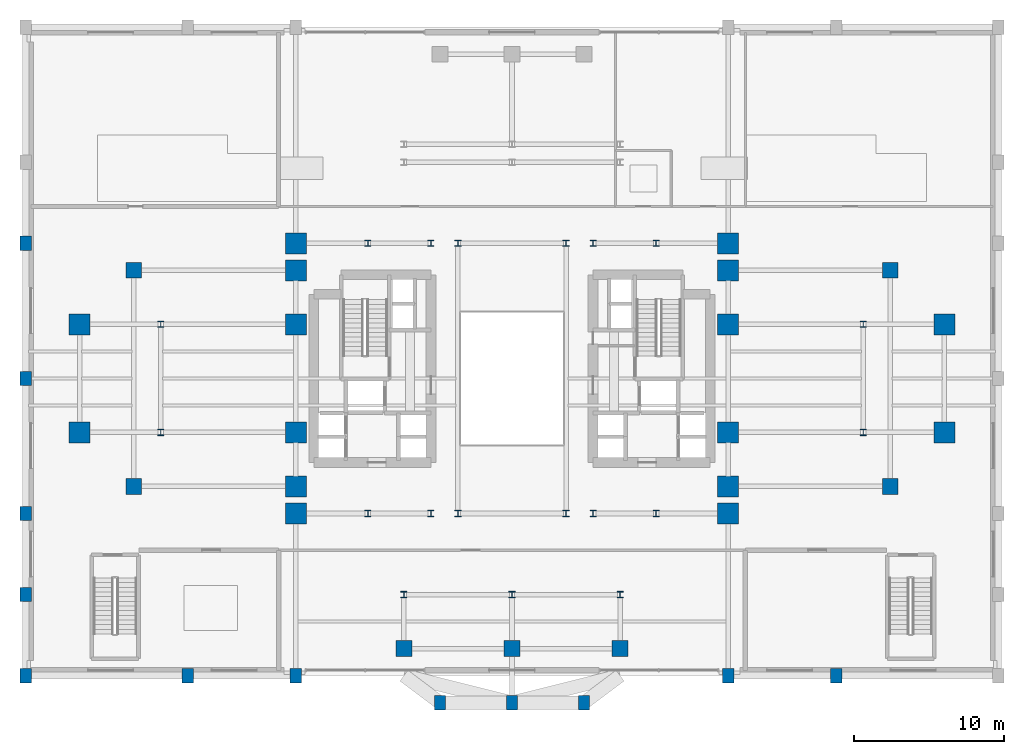
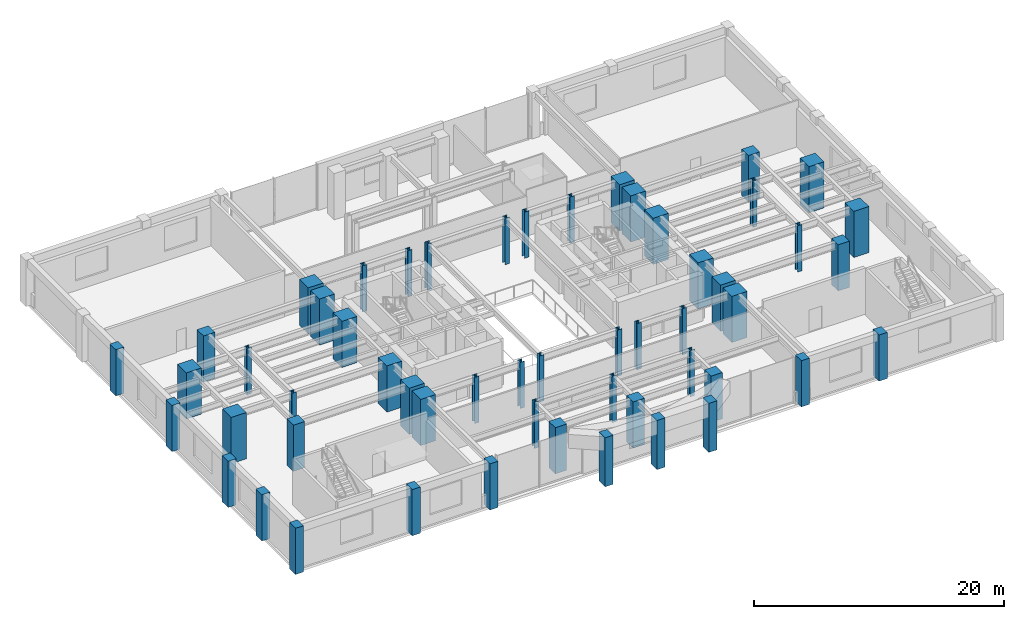
# One storey, part 1 of 14: 54 columns.
"""IFC4 building model written with IfcOpenShell, lengths in metres."""

import ifcopenshell
import ifcopenshell.guid

model = None  # the IFC model being written
_history = None  # IfcOwnerHistory: only IFC2X3 demands one
_inside = {}  # id of a spatial element -> (the spatial element, [elements in it])
_under = {}  # id of a project, library or spatial element -> (it, [spatial elements below it])
_declared = {}  # id of a project -> (the project, [libraries it declares])
_typed = {}  # id of a type object -> (the type object, [elements of that type])
_made_of = {}  # id of a material, layer set ... -> (it, [elements and type objects made of it])


def new_model(schema):
    """Start an empty IFC model of exactly this schema.

    Asked for "IFC4X3", IfcOpenShell would pick the latest addendum, in which some entities
    have other attributes; the version numbers below select the first issue.
    IFC2X3 requires an IfcOwnerHistory on every rooted entity: one is made here for all.
    """
    global model, _history
    if schema == "IFC4X3":
        model = ifcopenshell.file(schema_version=(4, 3, 0, 0))
    else:
        model = ifcopenshell.file(schema=schema)
    _inside.clear()
    _under.clear()
    _declared.clear()
    _typed.clear()
    _made_of.clear()
    _history = None
    if model.schema == "IFC2X3":
        org = make("IfcOrganization", Name="unknown")
        user = make(
            "IfcPersonAndOrganization",
            ThePerson=make("IfcPerson", FamilyName="unknown"),
            TheOrganization=org,
        )
        app = make(
            "IfcApplication",
            ApplicationDeveloper=org,
            Version="unknown",
            ApplicationFullName="unknown",
            ApplicationIdentifier="unknown",
        )
        _history = make(
            "IfcOwnerHistory",
            OwningUser=user,
            OwningApplication=app,
            ChangeAction="ADDED",
            CreationDate=0,
        )
    return model


def make(cls, **values):
    """One entity of the class cls with the attributes given. An attribute that is None is left unset."""
    return model.create_entity(
        cls, **{name: value for name, value in values.items() if value is not None}
    )


def rooted(cls, **values):
    """An entity with a GlobalId (a new one), such as an element, a storey or a relation."""
    return make(cls, GlobalId=ifcopenshell.guid.new(), OwnerHistory=_history, **values)


def si_unit(unit_type, name, prefix=None):
    """IfcSIUnit, for example si_unit("LENGTHUNIT", "METRE", prefix="MILLI")."""
    return make("IfcSIUnit", UnitType=unit_type, Prefix=prefix, Name=name)


def assignment(units):
    """IfcUnitAssignment: the units of a project."""
    return None if units is None else make("IfcUnitAssignment", Units=units)


def point(xyz):
    """IfcCartesianPoint."""
    return None if xyz is None else make("IfcCartesianPoint", Coordinates=xyz)


def direction(xyz):
    """IfcDirection."""
    return None if xyz is None else make("IfcDirection", DirectionRatios=xyz)


def frame(location, z_axis=None, x_axis=None):
    """IfcAxis2Placement3D, a coordinate frame: its origin and axes. An axis left out is left unset."""
    return make(
        "IfcAxis2Placement3D",
        Location=point(location),
        Axis=direction(z_axis),
        RefDirection=direction(x_axis),
    )


def frame_2d(location, x_axis=None):
    """IfcAxis2Placement2D, a coordinate frame in the plane: its origin and x axis."""
    return make(
        "IfcAxis2Placement2D", Location=point(location), RefDirection=direction(x_axis)
    )


def origin():
    """The frame at (0, 0, 0) with its axes left unset."""
    return frame((0.0, 0.0, 0.0))


def origin_2d():
    """The frame at (0, 0) in the plane with its x axis left unset."""
    return frame_2d((0.0, 0.0))


def place(relative_to, where):
    """IfcLocalPlacement: puts the frame where relative to a parent placement (None: the world)."""
    return make(
        "IfcLocalPlacement", PlacementRelTo=relative_to, RelativePlacement=where
    )


def context(
    kind, dimensions, precision=None, world=None, true_north=None, identifier=None
):
    """IfcGeometricRepresentationContext, for example the 3D "Model" context."""
    return make(
        "IfcGeometricRepresentationContext",
        ContextIdentifier=identifier,
        ContextType=kind,
        CoordinateSpaceDimension=dimensions,
        Precision=precision,
        WorldCoordinateSystem=world,
        TrueNorth=true_north,
    )


def subcontext(parent, identifier, kind, view, scale=None):
    """IfcGeometricRepresentationSubContext, for example "Body" below "Model"."""
    return make(
        "IfcGeometricRepresentationSubContext",
        ContextIdentifier=identifier,
        ContextType=kind,
        ParentContext=parent,
        TargetScale=scale,
        TargetView=view,
    )


def project(units=None, contexts=None):
    """IfcProject with its units and contexts."""
    return rooted(
        "IfcProject",
        Name="project",
        RepresentationContexts=contexts,
        UnitsInContext=assignment(units),
    )


def spatial(cls, under=None, at=None, **own):
    """A site, building, storey or space (cls), placed at a placement, below another one or the project."""
    s = rooted(cls, ObjectPlacement=at, **own)
    if under is not None:
        _under.setdefault(under.id(), (under, []))[1].append(s)
    return s


def profile(cls, at=None, kind="AREA", **sizes):
    """A parametric profile (cls). Its sizes go by their IFC names, for example OverallWidth=200.0."""
    return make(cls, ProfileType=kind, Position=at, **sizes)


def rectangle(**sizes):
    """IfcRectangleProfileDef."""
    return profile("IfcRectangleProfileDef", **sizes)


def i_section(**sizes):
    """IfcIShapeProfileDef."""
    return profile("IfcIShapeProfileDef", **sizes)


def extrude(swept, where, along, depth):
    """IfcExtrudedAreaSolid: the profile swept, set in the frame where, extruded along a direction by depth."""
    return make(
        "IfcExtrudedAreaSolid",
        SweptArea=swept,
        Position=where,
        ExtrudedDirection=direction(along),
        Depth=depth,
    )


def shape(context_of_items, identifier, shape_type, items):
    """IfcShapeRepresentation: the items that make up one representation, for example the "Body"."""
    return make(
        "IfcShapeRepresentation",
        ContextOfItems=context_of_items,
        RepresentationIdentifier=identifier,
        RepresentationType=shape_type,
        Items=items,
    )


def source(mapping_origin, context_of_items, identifier, shape_type, items):
    """IfcRepresentationMap: a shape defined once, which mapped items show again and again."""
    return make(
        "IfcRepresentationMap",
        MappingOrigin=mapping_origin,
        MappedRepresentation=shape(context_of_items, identifier, shape_type, items),
    )


def transform(
    local_origin,
    x_axis=None,
    y_axis=None,
    z_axis=None,
    scale=None,
    scale2=None,
    scale3=None,
    uniform=True,
):
    """IfcCartesianTransformationOperator3D, or its non-uniform kind. x_axis, y_axis, z_axis: its Axis1, 2, 3."""
    if uniform:
        return make(
            "IfcCartesianTransformationOperator3D",
            Axis1=direction(x_axis),
            Axis2=direction(y_axis),
            LocalOrigin=point(local_origin),
            Scale=scale,
            Axis3=direction(z_axis),
        )
    return make(
        "IfcCartesianTransformationOperator3DnonUniform",
        Axis1=direction(x_axis),
        Axis2=direction(y_axis),
        LocalOrigin=point(local_origin),
        Scale=scale,
        Axis3=direction(z_axis),
        Scale2=scale2,
        Scale3=scale3,
    )


def mapped(mapping_source, mapping_target):
    """IfcMappedItem: shows the shape of a source again, moved by a transform."""
    return make(
        "IfcMappedItem", MappingSource=mapping_source, MappingTarget=mapping_target
    )


def material(Name=None, Category=None):
    """IfcMaterial."""
    return make("IfcMaterial", Name=Name, Category=Category)


def material_profile(
    of_material, cross_section, Name=None, Category=None, Priority=None
):
    """IfcMaterialProfile: a cross section and its material."""
    return make(
        "IfcMaterialProfile",
        Name=Name,
        Material=of_material,
        Profile=cross_section,
        Priority=Priority,
        Category=Category,
    )


def profile_set(profiles, Name=None, composite=None):
    """IfcMaterialProfileSet."""
    return make(
        "IfcMaterialProfileSet",
        Name=Name,
        MaterialProfiles=profiles,
        CompositeProfile=composite,
    )


def made_of(thing, what):
    """Note that an element or type object is made of a material, layer set ...; save() writes the relation."""
    if what is not None:
        _made_of.setdefault(what.id(), (what, []))[1].append(thing)
    return thing


def type_object(cls, material=None, **own):
    """A type object (cls), such as IfcWallType, which elements share."""
    return made_of(rooted(cls, **own), material)


def element(
    cls,
    number,
    at=None,
    inside=None,
    cuts=None,
    type_object=None,
    material=None,
    context=None,
    identifier="Body",
    shape_type=None,
    held_by="IfcProductDefinitionShape",
    body=None,
    shapes=None,
    **own,
):
    """One element of the class cls, such as IfcWall. Its Tag is "e" and its number.

    at: its placement. inside: the storey or other place that contains it. cuts: it is an
    opening in that element (IfcRelVoidsElement). A single representation is given by context,
    identifier, shape_type and body (its items); several are given by shapes. held_by: the class
    of the entity that holds the representations. save() writes the other relations.
    """
    e = rooted(cls, Tag="e%d" % number, ObjectPlacement=at, **own)
    if body is not None:
        shapes = [shape(context, identifier, shape_type, body)]
    if shapes is not None:
        e.Representation = make(held_by, Representations=shapes)
    if inside is not None:
        _inside.setdefault(inside.id(), (inside, []))[1].append(e)
    if cuts is not None:
        rooted(
            "IfcRelVoidsElement", RelatingBuildingElement=cuts, RelatedOpeningElement=e
        )
    if type_object is not None:
        _typed.setdefault(type_object.id(), (type_object, []))[1].append(e)
    return made_of(e, material)


def aggregate(whole, parts):
    """IfcRelAggregates: a whole, such as a stair, and the parts it consists of."""
    return rooted("IfcRelAggregates", RelatingObject=whole, RelatedObjects=parts)


def save(model, path):
    """Write the relations noted so far, then the file.

    IfcRelAggregates (storeys below a building ...), IfcRelContainedInSpatialStructure (elements
    in a storey), IfcRelDefinesByType, IfcRelAssociatesMaterial and IfcRelDeclares: one each for
    every whole, place, type object, material and project.
    """
    for whole, parts in _under.values():
        aggregate(whole, parts)
    for where, things in _inside.values():
        rooted(
            "IfcRelContainedInSpatialStructure",
            RelatedElements=things,
            RelatingStructure=where,
        )
    for kind, things in _typed.values():
        rooted("IfcRelDefinesByType", RelatedObjects=things, RelatingType=kind)
    for what, things in _made_of.values():
        rooted("IfcRelAssociatesMaterial", RelatedObjects=things, RelatingMaterial=what)
    for by, libraries in _declared.values():
        rooted("IfcRelDeclares", RelatingContext=by, RelatedDefinitions=libraries)
    model.write(path)


model = new_model("IFC4")

# Units and contexts
model_context = context("Model", 3, precision=1e-05, world=origin(), true_north=direction((0.0, 1.0)))
body_context = subcontext(model_context, "Body", "Model", "MODEL_VIEW")
ifc_project = project(units=[si_unit("LENGTHUNIT", "METRE"), si_unit("AREAUNIT", "SQUARE_METRE"), si_unit("VOLUMEUNIT", "CUBIC_METRE"), si_unit("PLANEANGLEUNIT", "RADIAN"), si_unit("MASSUNIT", "GRAM", prefix="KILO")], contexts=[model_context])

# Site, building, storey
site_placement = place(None, origin())
site = spatial("IfcSite", under=ifc_project, at=site_placement, CompositionType="ELEMENT")
building_placement = place(site_placement, origin())
building = spatial("IfcBuilding", under=site, at=building_placement, Name="Keilestroom Media Tower", CompositionType="ELEMENT")
storey_placement = place(building_placement, frame((0.0, 0.0, 5.39990234375)))
storey = spatial("IfcBuildingStorey", under=building, at=storey_placement, Name="L01", CompositionType="ELEMENT", Elevation=5.39990234375)

# Columns
ifc_material_1 = material(Name="Precast concrete C40/50", Category="concrete")
ifc_material_profile_1 = material_profile(ifc_material_1, rectangle(XDim=0.75, YDim=0.949951171875, at=origin_2d()), Name="PC 950x750")
ifc_profile_set_1 = profile_set([ifc_material_profile_1], Name="Precast concrete C40/50")
column_type_1 = type_object("IfcColumnType", Name="Structural-Column-PC-950x750", PredefinedType="COLUMN", material=ifc_profile_set_1)
shared_shape_1 = source(origin(), body_context, "Body", "SweptSolid", [
    extrude(rectangle(XDim=0.75, YDim=0.949951171875, at=origin_2d()), origin(), (0.0, 0.0, 1.0), 4.52001953125),
])
for number, where, z_axis, x_axis, name in (
    (1, (-32.39990234375, -19.800048828125, 0.0), (0.0, 0.0, 1.0), (1.0, 0.0, 0.0), "L01 Column PC-1 (-32.4,-19.8)"),
    (2, (-32.39990234375, -14.39990234375, 0.0), (0.0, 0.0, 1.0), (1.0, 0.0, 0.0), "L01 Column PC-1 (-32.4,-14.4)"),
    (3, (-32.39990234375, -9.0, 0.0), (0.0, 0.0, 1.0), (1.0, 0.0, 0.0), "L01 Column PC-1 (-32.4,-9.0)"),
    (4, (-32.39990234375, 0.0, 0.0), (0.0, 0.0, 1.0), (1.0, 0.0, 0.0), "L01 Column PC-1 (-32.4,+0.0)"),
    (5, (-32.39990234375, 9.0, 0.0), (0.0, 0.0, 1.0), (1.0, 0.0, 0.0), "L01 Column PC-1 (-32.4,+9.0)"),
    (6, (-21.60009765625, -19.800048828125, 0.0), (0.0, 0.0, 1.0), (1.0, 0.0, 0.0), "L01 Column PC-1 (-21.6,-19.8)"),
    (7, (-14.39990234375, -19.800048828125, 0.0), (0.0, 0.0, 1.0), (1.0, 0.0, 0.0), "L01 Column PC-1 (-14.4,-19.8)"),
    (8, (14.39990234375, -19.800048828125, 0.0), (0.0, 0.0, 1.0), (1.0, 0.0, 0.0), "L01 Column PC-1 (+14.4,-19.8)"),
    (9, (21.60009765625, -19.800048828125, 0.0), (0.0, 0.0, 1.0), (1.0, 0.0, 0.0), "L01 Column PC-1 (+21.6,-19.8)"),
):
    element("IfcColumn", number, at=place(storey_placement, frame(where, z_axis=z_axis, x_axis=x_axis)), inside=storey, type_object=column_type_1, Name=name, PredefinedType="COLUMN", context=body_context, shape_type="MappedRepresentation", body=[
        mapped(shared_shape_1, transform((0.0, 0.0, 0.0), x_axis=(1.0, 0.0, 0.0), y_axis=(0.0, 1.0, 0.0), z_axis=(0.0, 0.0, 1.0), scale=1.0)),
    ])
ifc_material_2 = material(Name="Concrete C70/85", Category="concrete")
ifc_material_profile_2 = material_profile(ifc_material_2, rectangle(XDim=1.39990234375, YDim=1.39990234375, at=origin_2d()), Name="RC 1400x1400")
ifc_profile_set_2 = profile_set([ifc_material_profile_2], Name="Concrete C70/85")
column_type_2 = type_object("IfcColumnType", Name="Structural-Column-RC-1400x1400", PredefinedType="COLUMN", material=ifc_profile_set_2)
shared_shape_2 = source(origin(), body_context, "Body", "SweptSolid", [
    extrude(rectangle(XDim=1.39990234375, YDim=1.39990234375, at=origin_2d()), origin(), (0.0, 0.0, 1.0), 4.52001953125),
])
for number, where, z_axis, x_axis, name in (
    (10, (-28.800048828125, -3.60009765625, 0.0), (0.0, 0.0, 1.0), (1.0, 0.0, 0.0), "L01 Column MC-1 (-28.8,-3.6)"),
    (11, (-28.800048828125, 3.60009765625, 0.0), (0.0, 0.0, 1.0), (1.0, 0.0, 0.0), "L01 Column MC-1 (-28.8,+3.6)"),
    (12, (-14.39990234375, -9.0, 0.0), (0.0, 0.0, 1.0), (1.0, 0.0, 0.0), "L01 Column MC-1 (-14.4,-9.0)"),
    (13, (-14.39990234375, -7.199951171875, 0.0), (0.0, 0.0, 1.0), (1.0, 0.0, 0.0), "L01 Column MC-1 (-14.4,-7.2)"),
    (14, (-14.39990234375, -3.60009765625, 0.0), (0.0, 0.0, 1.0), (1.0, 0.0, 0.0), "L01 Column MC-1 (-14.4,-3.6)"),
    (15, (-14.39990234375, 3.60009765625, 0.0), (0.0, 0.0, 1.0), (1.0, 0.0, 0.0), "L01 Column MC-1 (-14.4,+3.6)"),
    (16, (-14.39990234375, 7.199951171875, 0.0), (0.0, 0.0, 1.0), (1.0, 0.0, 0.0), "L01 Column MC-1 (-14.4,+7.2)"),
    (17, (-14.39990234375, 9.0, 0.0), (0.0, 0.0, 1.0), (1.0, 0.0, 0.0), "L01 Column MC-1 (-14.4,+9.0)"),
    (18, (14.39990234375, -9.0, 0.0), (0.0, 0.0, 1.0), (1.0, 0.0, 0.0), "L01 Column MC-1 (+14.4,-9.0)"),
    (19, (14.39990234375, -7.199951171875, 0.0), (0.0, 0.0, 1.0), (1.0, 0.0, 0.0), "L01 Column MC-1 (+14.4,-7.2)"),
    (20, (14.39990234375, -3.60009765625, 0.0), (0.0, 0.0, 1.0), (1.0, 0.0, 0.0), "L01 Column MC-1 (+14.4,-3.6)"),
    (21, (14.39990234375, 3.60009765625, 0.0), (0.0, 0.0, 1.0), (1.0, 0.0, 0.0), "L01 Column MC-1 (+14.4,+3.6)"),
    (22, (14.39990234375, 7.199951171875, 0.0), (0.0, 0.0, 1.0), (1.0, 0.0, 0.0), "L01 Column MC-1 (+14.4,+7.2)"),
    (23, (14.39990234375, 9.0, 0.0), (0.0, 0.0, 1.0), (1.0, 0.0, 0.0), "L01 Column MC-1 (+14.4,+9.0)"),
    (24, (28.800048828125, -3.60009765625, 0.0), (0.0, 0.0, 1.0), (1.0, 0.0, 0.0), "L01 Column MC-1 (+28.8,-3.6)"),
    (25, (28.800048828125, 3.60009765625, 0.0), (0.0, 0.0, 1.0), (1.0, 0.0, 0.0), "L01 Column MC-1 (+28.8,+3.6)"),
):
    element("IfcColumn", number, at=place(storey_placement, frame(where, z_axis=z_axis, x_axis=x_axis)), inside=storey, type_object=column_type_2, Name=name, PredefinedType="COLUMN", context=body_context, shape_type="MappedRepresentation", body=[
        mapped(shared_shape_2, transform((0.0, 0.0, 0.0), x_axis=(1.0, 0.0, 0.0), y_axis=(0.0, 1.0, 0.0), z_axis=(0.0, 0.0, 1.0), scale=1.0)),
    ])
ifc_material_3 = material(Name="Concrete C55/67", Category="concrete")
ifc_material_profile_3 = material_profile(ifc_material_3, rectangle(XDim=1.050048828125, YDim=1.050048828125, at=origin_2d()), Name="RC 1050x1050")
ifc_profile_set_3 = profile_set([ifc_material_profile_3], Name="Concrete C55/67")
column_type_3 = type_object("IfcColumnType", Name="Structural-Column-RC-1050x1050", PredefinedType="COLUMN", material=ifc_profile_set_3)
shared_shape_3 = source(origin(), body_context, "Body", "SweptSolid", [
    extrude(rectangle(XDim=1.050048828125, YDim=1.050048828125, at=origin_2d()), origin(), (0.0, 0.0, 1.0), 4.52001953125),
])
for number, where, z_axis, x_axis, name in (
    (26, (-25.199951171875, -7.199951171875, 0.0), (0.0, 0.0, 1.0), (1.0, 0.0, 0.0), "L01 Column MC-3 (-25.2,-7.2)"),
    (27, (-25.199951171875, 7.199951171875, 0.0), (0.0, 0.0, 1.0), (1.0, 0.0, 0.0), "L01 Column MC-3 (-25.2,+7.2)"),
    (28, (-7.199951171875, -18.0, 0.0), (0.0, 0.0, 1.0), (1.0, 0.0, 0.0), "L01 Column MC-3 (-7.2,-18.0)"),
    (29, (0.0, -18.0, 0.0), (0.0, 0.0, 1.0), (1.0, 0.0, 0.0), "L01 Column MC-3 (+0.0,-18.0)"),
    (30, (7.199951171875, -18.0, 0.0), (0.0, 0.0, 1.0), (1.0, 0.0, 0.0), "L01 Column MC-3 (+7.2,-18.0)"),
    (31, (25.199951171875, -7.199951171875, 0.0), (0.0, 0.0, 1.0), (1.0, 0.0, 0.0), "L01 Column MC-3 (+25.2,-7.2)"),
    (32, (25.199951171875, 7.199951171875, 0.0), (0.0, 0.0, 1.0), (1.0, 0.0, 0.0), "L01 Column MC-3 (+25.2,+7.2)"),
):
    element("IfcColumn", number, at=place(storey_placement, frame(where, z_axis=z_axis, x_axis=x_axis)), inside=storey, type_object=column_type_3, Name=name, PredefinedType="COLUMN", context=body_context, shape_type="MappedRepresentation", body=[
        mapped(shared_shape_3, transform((0.0, 0.0, 0.0), x_axis=(1.0, 0.0, 0.0), y_axis=(0.0, 1.0, 0.0), z_axis=(0.0, 0.0, 1.0), scale=1.0)),
    ])
ifc_material_4 = material(Name="Steel S460", Category="steel")
ifc_material_profile_4 = material_profile(ifc_material_4, i_section(OverallWidth=0.406005859375, OverallDepth=0.416015625, WebThickness=0.02392578125, FlangeThickness=0.0390625, at=origin_2d()), Name="HD 400x382")
ifc_profile_set_4 = profile_set([ifc_material_profile_4], Name="Steel S460")
column_type_4 = type_object("IfcColumnType", Name="Structural-Column-HD-400x382", PredefinedType="COLUMN", material=ifc_profile_set_4)
shared_shape_4 = source(origin(), body_context, "Body", "SweptSolid", [
    extrude(i_section(OverallWidth=0.406005859375, OverallDepth=0.416015625, WebThickness=0.02392578125, FlangeThickness=0.0390625, at=origin_2d()), origin(), (0.0, 0.0, 1.0), 4.52001953125),
])
for number, where, z_axis, x_axis, name in (
    (33, (-23.39990234375, -3.60009765625, 0.0), (0.0, 0.0, 1.0), (1.0, 0.0, 0.0), "L01 Column SC-1 (-23.4,-3.6)"),
    (34, (-23.39990234375, 3.60009765625, 0.0), (0.0, 0.0, 1.0), (1.0, 0.0, 0.0), "L01 Column SC-1 (-23.4,+3.6)"),
    (35, (-9.60009765625, -9.0, 0.0), (0.0, 0.0, 1.0), (1.0, 0.0, 0.0), "L01 Column SC-1 (-9.6,-9.0)"),
    (36, (-9.60009765625, 9.0, 0.0), (0.0, 0.0, 1.0), (1.0, 0.0, 0.0), "L01 Column SC-1 (-9.6,+9.0)"),
    (37, (-7.199951171875, -14.39990234375, 0.0), (0.0, 0.0, 1.0), (1.0, 0.0, 0.0), "L01 Column SC-1 (-7.2,-14.4)"),
    (38, (-5.39990234375, -9.0, 0.0), (0.0, 0.0, 1.0), (1.0, 0.0, 0.0), "L01 Column SC-1 (-5.4,-9.0)"),
    (39, (-5.39990234375, 9.0, 0.0), (0.0, 0.0, 1.0), (1.0, 0.0, 0.0), "L01 Column SC-1 (-5.4,+9.0)"),
    (40, (-3.60009765625, -9.0, 0.0), (0.0, 0.0, 1.0), (1.0, 0.0, 0.0), "L01 Column SC-1 (-3.6,-9.0)"),
    (41, (-3.60009765625, 9.0, 0.0), (0.0, 0.0, 1.0), (1.0, 0.0, 0.0), "L01 Column SC-1 (-3.6,+9.0)"),
    (42, (0.0, -14.39990234375, 0.0), (0.0, 0.0, 1.0), (1.0, 0.0, 0.0), "L01 Column SC-1 (+0.0,-14.4)"),
    (43, (3.60009765625, -9.0, 0.0), (0.0, 0.0, 1.0), (1.0, 0.0, 0.0), "L01 Column SC-1 (+3.6,-9.0)"),
    (44, (3.60009765625, 9.0, 0.0), (0.0, 0.0, 1.0), (1.0, 0.0, 0.0), "L01 Column SC-1 (+3.6,+9.0)"),
    (45, (5.39990234375, -9.0, 0.0), (0.0, 0.0, 1.0), (1.0, 0.0, 0.0), "L01 Column SC-1 (+5.4,-9.0)"),
    (46, (5.39990234375, 9.0, 0.0), (0.0, 0.0, 1.0), (1.0, 0.0, 0.0), "L01 Column SC-1 (+5.4,+9.0)"),
    (47, (7.199951171875, -14.39990234375, 0.0), (0.0, 0.0, 1.0), (1.0, 0.0, 0.0), "L01 Column SC-1 (+7.2,-14.4)"),
    (48, (9.60009765625, -9.0, 0.0), (0.0, 0.0, 1.0), (1.0, 0.0, 0.0), "L01 Column SC-1 (+9.6,-9.0)"),
    (49, (9.60009765625, 9.0, 0.0), (0.0, 0.0, 1.0), (1.0, 0.0, 0.0), "L01 Column SC-1 (+9.6,+9.0)"),
    (50, (23.39990234375, -3.60009765625, 0.0), (0.0, 0.0, 1.0), (1.0, 0.0, 0.0), "L01 Column SC-1 (+23.4,-3.6)"),
    (51, (23.39990234375, 3.60009765625, 0.0), (0.0, 0.0, 1.0), (1.0, 0.0, 0.0), "L01 Column SC-1 (+23.4,+3.6)"),
):
    element("IfcColumn", number, at=place(storey_placement, frame(where, z_axis=z_axis, x_axis=x_axis)), inside=storey, type_object=column_type_4, Name=name, PredefinedType="COLUMN", context=body_context, shape_type="MappedRepresentation", body=[
        mapped(shared_shape_4, transform((0.0, 0.0, 0.0), x_axis=(1.0, 0.0, 0.0), y_axis=(0.0, 1.0, 0.0), z_axis=(0.0, 0.0, 1.0), scale=1.0)),
    ])
shared_shape_5 = source(origin(), body_context, "Body", "SweptSolid", [
    extrude(rectangle(XDim=0.75, YDim=0.949951171875, at=origin_2d()), origin(), (0.0, 0.0, 1.0), 4.800048828125),
])
for number, where, z_axis, x_axis, name in (
    (52, (-4.800048828125, -21.60009765625, 0.0), (0.0, 0.0, 1.0), (1.0, 0.0, 0.0), "L01 Column PC-1 (-4.8,-21.6)"),
    (53, (0.0, -21.60009765625, 0.0), (0.0, 0.0, 1.0), (1.0, 0.0, 0.0), "L01 Column PC-1 (+0.0,-21.6)"),
    (54, (4.800048828125, -21.60009765625, 0.0), (0.0, 0.0, 1.0), (1.0, 0.0, 0.0), "L01 Column PC-1 (+4.8,-21.6)"),
):
    element("IfcColumn", number, at=place(storey_placement, frame(where, z_axis=z_axis, x_axis=x_axis)), inside=storey, type_object=column_type_1, Name=name, PredefinedType="COLUMN", context=body_context, shape_type="MappedRepresentation", body=[
        mapped(shared_shape_5, transform((0.0, 0.0, 0.0), x_axis=(1.0, 0.0, 0.0), y_axis=(0.0, 1.0, 0.0), z_axis=(0.0, 0.0, 1.0), scale=1.0)),
    ])

save(model, "model.ifc")
